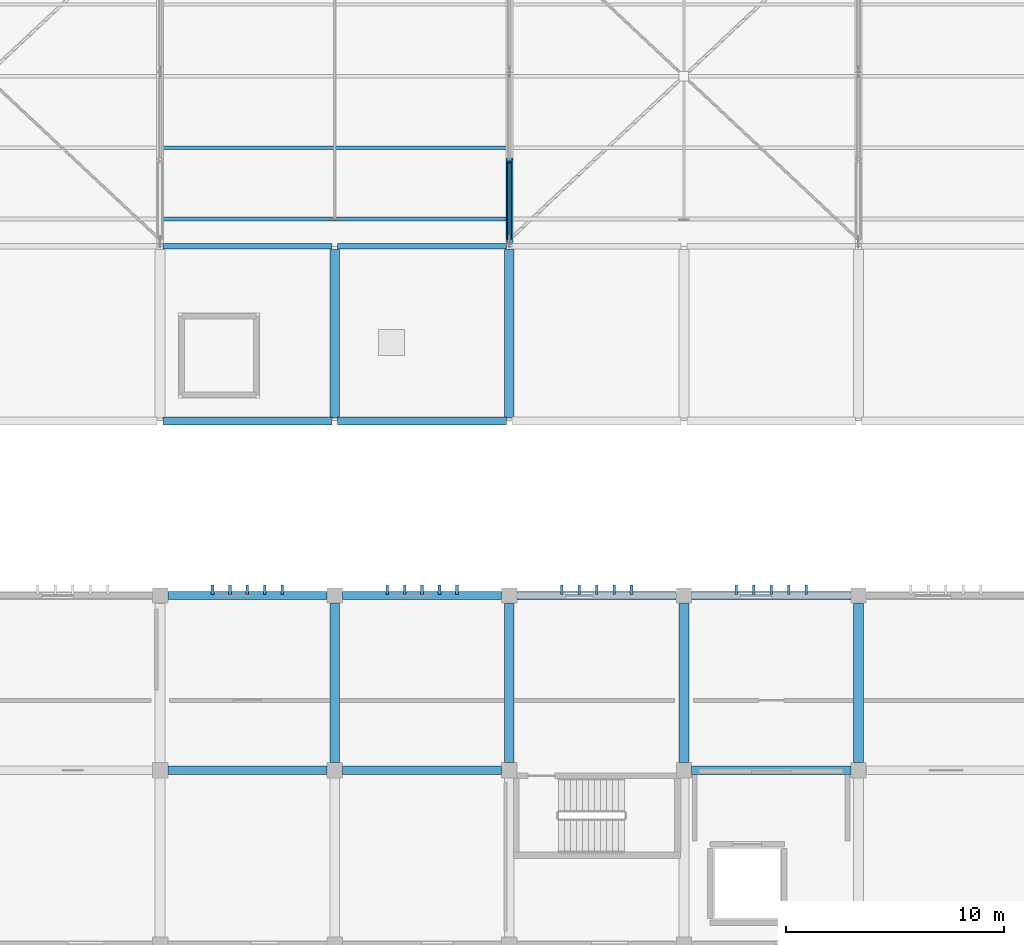
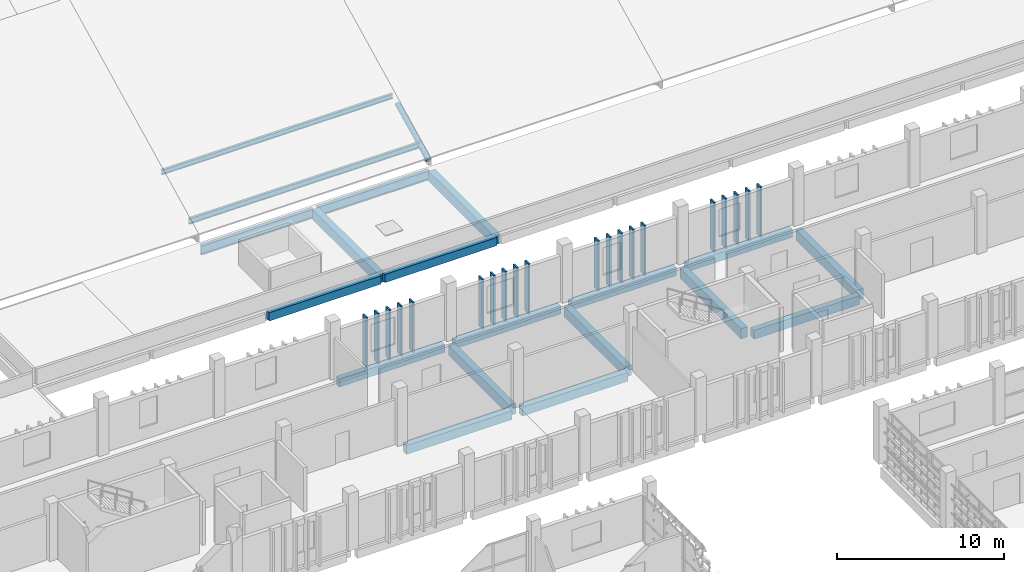
# One storey, part 37 of 137: 22 members, 19 beams.
"""IFC4 building model written with IfcOpenShell, lengths in metres."""

from ifc_helpers import new_model, si_unit, direction, frame, origin, origin_2d, place, context, subcontext, project, spatial, rectangle, hollow_circle, i_section, extrude, material, material_profile, profile_set, type_object, element, save


model = new_model("IFC4")

# Units and contexts
model_context = context("Model", 3, precision=1e-05, world=origin(), true_north=direction((0.0, 1.0)))
body_context = subcontext(model_context, "Body", "Model", "MODEL_VIEW")
ifc_project = project(units=[si_unit("LENGTHUNIT", "METRE"), si_unit("AREAUNIT", "SQUARE_METRE"), si_unit("VOLUMEUNIT", "CUBIC_METRE"), si_unit("PLANEANGLEUNIT", "RADIAN"), si_unit("MASSUNIT", "GRAM", prefix="KILO")], contexts=[model_context])

# Site, building, storey
site_placement = place(None, origin())
site = spatial("IfcSite", under=ifc_project, at=site_placement, CompositionType="ELEMENT")
building_placement = place(site_placement, origin())
building = spatial("IfcBuilding", under=site, at=building_placement, Name="Jelvoka-Kovrelna Polytechnic", CompositionType="ELEMENT")
storey_placement = place(building_placement, frame((0.0, 0.0, 9.60009765625)))
storey = spatial("IfcBuildingStorey", under=building, at=storey_placement, Name="L03", CompositionType="ELEMENT", Elevation=9.60009765625)

# Beams
ifc_material_1 = material(Name="Concrete C40/50", Category="concrete")
ifc_material_profile_1 = material_profile(ifc_material_1, rectangle(XDim=0.39990234375, YDim=0.64990234375, at=origin_2d()), Name="RC 400x650")
ifc_profile_set_1 = profile_set([ifc_material_profile_1], Name="Concrete C40/50")
beam_type_1 = type_object("IfcBeamType", Name="Beam_RC_400x650", PredefinedType="BEAM", material=ifc_profile_set_1)
for number, where, z_axis, x_axis, name in (
    (1, (104.35498046875, 64.0, -0.590087890625), (1.0, 0.0, 0.0), (0.0, 1.0, 0.0), "L03 beam 1016"),
    (2, (112.35498046875, 64.0, -0.590087890625), (1.0, 0.0, 0.0), (0.0, 1.0, 0.0), "L03 beam 1050"),
    (3, (128.35498046875, 64.0, -0.590087890625), (1.0, 0.0, 0.0), (0.0, 1.0, 0.0), "L03 beam 1051"),
):
    element("IfcBeam", number, at=place(storey_placement, frame(where, z_axis=z_axis, x_axis=x_axis)), inside=storey, type_object=beam_type_1, Name=name, PredefinedType="BEAM", context=body_context, shape_type="SweptSolid", body=[
        extrude(rectangle(XDim=0.39990234375, YDim=0.64990234375, at=origin_2d()), origin(), (0.0, 0.0, 1.0), 7.2900390625),
    ])
ifc_material_2 = material(Name="Concrete C40/50", Category="concrete")
ifc_material_profile_2 = material_profile(ifc_material_2, rectangle(XDim=0.449951171875, YDim=0.75, at=origin_2d()), Name="RC 450x750")
ifc_profile_set_2 = profile_set([ifc_material_profile_2], Name="Concrete C40/50")
beam_type_2 = type_object("IfcBeamType", Name="Beam_RC_450x750", PredefinedType="BEAM", material=ifc_profile_set_2)
for number, where, z_axis, x_axis, name in (
    (4, (112.0, 64.35498046875, -0.64013671875), (0.0, 1.0, 0.0), (-1.0, 0.0, 0.0), "L03 beam 1039"),
    (5, (120.0, 64.35498046875, -0.64013671875), (0.0, 1.0, 0.0), (-1.0, 0.0, 0.0), "L03 beam 1069"),
    (6, (128.0, 64.35498046875, -0.64013671875), (0.0, 1.0, 0.0), (-1.0, 0.0, 0.0), "L03 beam 1071"),
    (7, (136.0, 64.35498046875, -0.64013671875), (0.0, 1.0, 0.0), (-1.0, 0.0, 0.0), "L03 beam 1073"),
):
    element("IfcBeam", number, at=place(storey_placement, frame(where, z_axis=z_axis, x_axis=x_axis)), inside=storey, type_object=beam_type_2, Name=name, PredefinedType="BEAM", context=body_context, shape_type="SweptSolid", body=[
        extrude(rectangle(XDim=0.449951171875, YDim=0.75, at=origin_2d()), origin(), (0.0, 0.0, 1.0), 7.2900390625),
    ])
for number, where, z_axis, x_axis, name in (
    (8, (112.0, 80.1337890625, -0.585205078125), (0.0, 1.0, 0.0), (-1.0, 0.0, 0.0), "L03 beam 2089"),
    (9, (120.0, 80.1337890625, -0.585205078125), (0.0, 1.0, 0.0), (-1.0, 0.0, 0.0), "L03 beam 2090"),
):
    element("IfcBeam", number, at=place(storey_placement, frame(where, z_axis=z_axis, x_axis=x_axis)), inside=storey, type_object=beam_type_2, Name=name, PredefinedType="BEAM", context=body_context, shape_type="SweptSolid", body=[
        extrude(rectangle(XDim=0.449951171875, YDim=0.75, at=origin_2d()), origin(), (0.0, 0.0, 1.0), 7.732421875),
    ])
ifc_material_3 = material(Name="Structural steel S355JR", Category="steel")
ifc_material_profile_3 = material_profile(ifc_material_3, i_section(OverallWidth=0.2529296875, OverallDepth=0.677978515625, WebThickness=0.01171875, FlangeThickness=0.01611328125, FilletRadius=0.01513671875, at=origin_2d()), Name="686x254x125 UB")
ifc_profile_set_3 = profile_set([ifc_material_profile_3], Name="Structural steel S355JR")
beam_type_3 = type_object("IfcBeamType", Name="Girder_Steel_UB686", PredefinedType="BEAM", material=ifc_profile_set_3)
for number, where, z_axis, x_axis, name in (
    (10, (104.132568359375, 88.0, -0.549072265625), (1.0, 0.0, 0.0), (0.0, 1.0, 0.0), "L03 beam 0093"),
    (11, (112.132568359375, 88.0, -0.549072265625), (1.0, 0.0, 0.0), (0.0, 1.0, 0.0), "L03 beam 0095"),
):
    element("IfcBeam", number, at=place(storey_placement, frame(where, z_axis=z_axis, x_axis=x_axis)), inside=storey, type_object=beam_type_3, Name=name, PredefinedType="BEAM", context=body_context, shape_type="SweptSolid", body=[
        extrude(i_section(OverallWidth=0.2529296875, OverallDepth=0.677978515625, WebThickness=0.01171875, FlangeThickness=0.01611328125, FilletRadius=0.01513671875, at=origin_2d()), origin(), (0.0, 0.0, 1.0), 7.73486328125),
    ])

# Members
ifc_material_4 = material(Name="Precast concrete C40/50", Category="concrete")
ifc_material_profile_4 = material_profile(ifc_material_4, rectangle(XDim=0.1201171875, YDim=0.449951171875, at=origin_2d()), Name="PC 120x450")
ifc_profile_set_4 = profile_set([ifc_material_profile_4], Name="Precast concrete C40/50")
member_type_1 = type_object("IfcMemberType", Name="Louvre_Fin_120x450", PredefinedType="USERDEFINED", material=ifc_profile_set_4)
for number, where, z_axis, x_axis, name in (
    (12, (106.39990234375, 72.264892578125, -0.27001953125), (0.0, 0.0, 1.0), (1.0, 0.0, 0.0), "L03 B3 north vertical solar louvre fin 1521"),
    (13, (107.199951171875, 72.264892578125, -0.27001953125), (0.0, 0.0, 1.0), (1.0, 0.0, 0.0), "L03 B3 north vertical solar louvre fin 1522"),
    (14, (108.0, 72.264892578125, -0.27001953125), (0.0, 0.0, 1.0), (1.0, 0.0, 0.0), "L03 B3 north vertical solar louvre fin 1523"),
    (15, (108.800048828125, 72.264892578125, -0.27001953125), (0.0, 0.0, 1.0), (1.0, 0.0, 0.0), "L03 B3 north vertical solar louvre fin 1524"),
    (16, (109.60009765625, 72.264892578125, -0.27001953125), (0.0, 0.0, 1.0), (1.0, 0.0, 0.0), "L03 B3 north vertical solar louvre fin 1525"),
    (17, (114.39990234375, 72.264892578125, -0.27001953125), (0.0, 0.0, 1.0), (1.0, 0.0, 0.0), "L03 B3 north vertical solar louvre fin 1531"),
    (18, (115.199951171875, 72.264892578125, -0.27001953125), (0.0, 0.0, 1.0), (1.0, 0.0, 0.0), "L03 B3 north vertical solar louvre fin 1532"),
    (19, (116.0, 72.264892578125, -0.27001953125), (0.0, 0.0, 1.0), (1.0, 0.0, 0.0), "L03 B3 north vertical solar louvre fin 1533"),
    (20, (116.800048828125, 72.264892578125, -0.27001953125), (0.0, 0.0, 1.0), (1.0, 0.0, 0.0), "L03 B3 north vertical solar louvre fin 1534"),
    (21, (117.60009765625, 72.264892578125, -0.27001953125), (0.0, 0.0, 1.0), (1.0, 0.0, 0.0), "L03 B3 north vertical solar louvre fin 1535"),
    (22, (122.39990234375, 72.264892578125, -0.27001953125), (0.0, 0.0, 1.0), (1.0, 0.0, 0.0), "L03 B3 north vertical solar louvre fin 1541"),
    (23, (123.199951171875, 72.264892578125, -0.27001953125), (0.0, 0.0, 1.0), (1.0, 0.0, 0.0), "L03 B3 north vertical solar louvre fin 1542"),
    (24, (124.0, 72.264892578125, -0.27001953125), (0.0, 0.0, 1.0), (1.0, 0.0, 0.0), "L03 B3 north vertical solar louvre fin 1543"),
    (25, (124.800048828125, 72.264892578125, -0.27001953125), (0.0, 0.0, 1.0), (1.0, 0.0, 0.0), "L03 B3 north vertical solar louvre fin 1544"),
    (26, (125.60009765625, 72.264892578125, -0.27001953125), (0.0, 0.0, 1.0), (1.0, 0.0, 0.0), "L03 B3 north vertical solar louvre fin 1545"),
    (27, (130.39990234375, 72.264892578125, -0.27001953125), (0.0, 0.0, 1.0), (1.0, 0.0, 0.0), "L03 B3 north vertical solar louvre fin 1551"),
    (28, (131.199951171875, 72.264892578125, -0.27001953125), (0.0, 0.0, 1.0), (1.0, 0.0, 0.0), "L03 B3 north vertical solar louvre fin 1552"),
    (29, (132.0, 72.264892578125, -0.27001953125), (0.0, 0.0, 1.0), (1.0, 0.0, 0.0), "L03 B3 north vertical solar louvre fin 1553"),
    (30, (132.800048828125, 72.264892578125, -0.27001953125), (0.0, 0.0, 1.0), (1.0, 0.0, 0.0), "L03 B3 north vertical solar louvre fin 1554"),
    (31, (133.60009765625, 72.264892578125, -0.27001953125), (0.0, 0.0, 1.0), (1.0, 0.0, 0.0), "L03 B3 north vertical solar louvre fin 1555"),
):
    element("IfcMember", number, at=place(storey_placement, frame(where, z_axis=z_axis, x_axis=x_axis)), inside=storey, type_object=member_type_1, Name=name, ObjectType="SUNSHADE", PredefinedType="USERDEFINED", context=body_context, shape_type="SweptSolid", body=[
        extrude(rectangle(XDim=0.1201171875, YDim=0.449951171875, at=origin_2d()), origin(), (0.0, 0.0, 1.0), 3.64501953125),
    ])
ifc_material_5 = material(Name="Structural steel S355J2H", Category="steel")
ifc_material_profile_5 = material_profile(ifc_material_5, hollow_circle(Radius=0.109619140625, WallThickness=0.008056640625, at=origin_2d()), Name="219.1x8.0 CHS")
ifc_profile_set_5 = profile_set([ifc_material_profile_5], Name="Structural steel S355J2H")
member_type_2 = type_object("IfcMemberType", Name="Member_Brace_CHS219", PredefinedType="BRACE", material=ifc_profile_set_5)
member_1_placement = place(storey_placement, frame((120.0, 88.340087890625, 0.14990234375), z_axis=(0.0, 0.878084029324, 0.478506465418), x_axis=(-1.0, 0.0, 0.0)))
element("IfcMember", 32, at=member_1_placement, inside=storey, type_object=member_type_2, Name="Sawtooth truss 3 diagonal web 1.1", PredefinedType="BRACE", context=body_context, shape_type="SweptSolid", body=[
    extrude(hollow_circle(Radius=0.109619140625, WallThickness=0.008056640625, at=origin_2d()), origin(), (0.0, 0.0, 1.0), 4.0087890625),
])
ifc_material_6 = material(Name="Structural steel S355J2H", Category="steel")
ifc_material_profile_6 = material_profile(ifc_material_6, hollow_circle(Radius=0.161865234375, WallThickness=0.010009765625, at=origin_2d()), Name="323.9x10.0 CHS")
ifc_profile_set_6 = profile_set([ifc_material_profile_6], Name="Structural steel S355J2H")
member_type_3 = type_object("IfcMemberType", Name="Member_Chord_CHS324", PredefinedType="CHORD", material=ifc_profile_set_6)
member_2_placement = place(storey_placement, frame((120.0, 88.199951171875, 0.31640625), z_axis=(0.0, 0.900803851837, 0.434226231952), x_axis=(-1.0, 0.0, 0.0)))
element("IfcMember", 33, at=member_2_placement, inside=storey, type_object=member_type_3, Name="Sawtooth truss 3 top chord 1.1", PredefinedType="CHORD", context=body_context, shape_type="SweptSolid", body=[
    extrude(hollow_circle(Radius=0.161865234375, WallThickness=0.010009765625, at=origin_2d()), origin(), (0.0, 0.0, 1.0), 4.218505859375),
])

# Beams
ifc_material_7 = material(Name="Structural steel S355JR", Category="steel")
ifc_material_profile_7 = material_profile(ifc_material_7, i_section(OverallWidth=0.17138671875, OverallDepth=0.35498046875, WebThickness=0.00732421875, FlangeThickness=0.011474609375, FilletRadius=0.01025390625, at=origin_2d()), Name="356x171x51 UB")
ifc_profile_set_7 = profile_set([ifc_material_profile_7], Name="Structural steel S355JR")
beam_type_4 = type_object("IfcBeamType", Name="Purlin_Steel_UB356", PredefinedType="JOIST", material=ifc_profile_set_7)
beam_1_placement = place(storey_placement, frame((104.02001953125, 92.52392578125, 2.400634765625), z_axis=(1.0, 0.0, 0.0), x_axis=(0.0, 1.0, 0.0)))
element("IfcBeam", 34, at=beam_1_placement, inside=storey, type_object=beam_type_4, Name="Sawtooth roof purlin 012", PredefinedType="JOIST", context=body_context, shape_type="SweptSolid", body=[
    extrude(i_section(OverallWidth=0.17138671875, OverallDepth=0.35498046875, WebThickness=0.00732421875, FlangeThickness=0.011474609375, FilletRadius=0.01025390625, at=origin_2d()), origin(), (0.0, 0.0, 1.0), 15.9599609375),
])
ifc_material_8 = material(Name="Structural steel S355JR", Category="steel")
ifc_material_profile_8 = material_profile(ifc_material_8, i_section(OverallWidth=0.177978515625, OverallDepth=0.406494140625, WebThickness=0.0078125, FlangeThickness=0.0126953125, FilletRadius=0.01025390625, at=origin_2d()), Name="406x178x60 UB")
ifc_profile_set_8 = profile_set([ifc_material_profile_8], Name="Structural steel S355JR")
beam_type_5 = type_object("IfcBeamType", Name="Purlin_Steel_UB406", PredefinedType="JOIST", material=ifc_profile_set_8)
beam_2_placement = place(storey_placement, frame((104.02001953125, 89.248046875, 0.821533203125), z_axis=(1.0, 0.0, 0.0), x_axis=(0.0, 1.0, 0.0)))
element("IfcBeam", 35, at=beam_2_placement, inside=storey, type_object=beam_type_5, Name="Sawtooth roof purlin 011", PredefinedType="JOIST", context=body_context, shape_type="SweptSolid", body=[
    extrude(i_section(OverallWidth=0.177978515625, OverallDepth=0.406494140625, WebThickness=0.0078125, FlangeThickness=0.0126953125, FilletRadius=0.01025390625, at=origin_2d()), origin(), (0.0, 0.0, 1.0), 15.9599609375),
])
ifc_material_9 = material(Name="Concrete C40/50", Category="concrete")
ifc_material_profile_9 = material_profile(ifc_material_9, rectangle(XDim=0.35009765625, YDim=0.60009765625, at=origin_2d()), Name="RC 350x600")
ifc_profile_set_9 = profile_set([ifc_material_profile_9], Name="Concrete C40/50")
beam_type_6 = type_object("IfcBeamType", Name="Spandrel_RC_350x600", PredefinedType="SPANDREL", material=ifc_profile_set_9)
for number, where, z_axis, x_axis, name in (
    (36, (104.35498046875, 72.0, -0.565185546875), (1.0, 0.0, 0.0), (0.0, 1.0, 0.0), "L03 beam 1023"),
    (37, (112.35498046875, 72.0, -0.565185546875), (1.0, 0.0, 0.0), (0.0, 1.0, 0.0), "L03 beam 1058"),
    (38, (120.35498046875, 72.0, -0.565185546875), (1.0, 0.0, 0.0), (0.0, 1.0, 0.0), "L03 beam 1059"),
    (39, (128.35498046875, 72.0, -0.565185546875), (1.0, 0.0, 0.0), (0.0, 1.0, 0.0), "L03 beam 1060"),
):
    element("IfcBeam", number, at=place(storey_placement, frame(where, z_axis=z_axis, x_axis=x_axis)), inside=storey, type_object=beam_type_6, Name=name, PredefinedType="SPANDREL", context=body_context, shape_type="SweptSolid", body=[
        extrude(rectangle(XDim=0.35009765625, YDim=0.60009765625, at=origin_2d()), origin(), (0.0, 0.0, 1.0), 7.2900390625),
    ])
for number, where, z_axis, x_axis, name in (
    (40, (104.132568359375, 80.0, -0.510009765625), (1.0, 0.0, 0.0), (0.0, 1.0, 0.0), "L03 beam 2074"),
    (41, (112.132568359375, 80.0, -0.510009765625), (1.0, 0.0, 0.0), (0.0, 1.0, 0.0), "L03 beam 2075"),
):
    element("IfcBeam", number, at=place(storey_placement, frame(where, z_axis=z_axis, x_axis=x_axis)), inside=storey, type_object=beam_type_6, Name=name, PredefinedType="SPANDREL", context=body_context, shape_type="SweptSolid", body=[
        extrude(rectangle(XDim=0.35009765625, YDim=0.60009765625, at=origin_2d()), origin(), (0.0, 0.0, 1.0), 7.73486328125),
    ])

save(model, "model.ifc")
